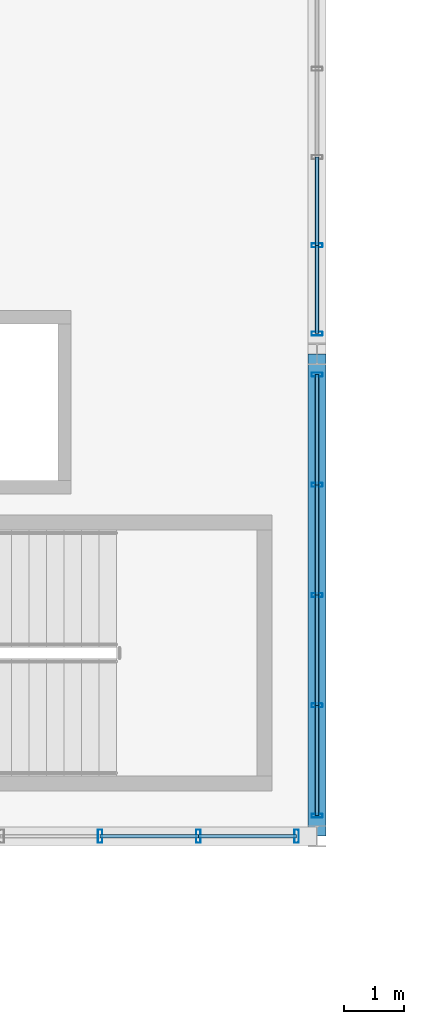
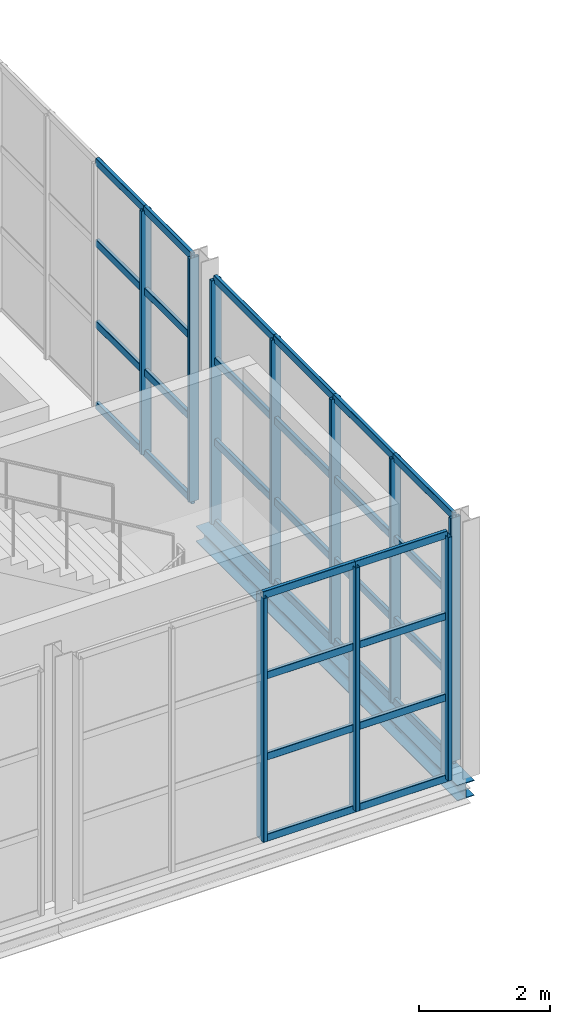
# One storey, part 61 of 143: 42 members, 1 beam, 3 elements without a shape of their own.
"""IFC4 building model written with IfcOpenShell, lengths in metres."""

from ifc_helpers import new_model, si_unit, derived_unit, direction, frame, origin, origin_2d, place, context, subcontext, project, spatial, hollow_rectangle, i_section, extrude, material, material_profile, profile_set, type_object, element, aggregate, save


model = new_model("IFC4")

# Units and contexts
model_context = context("Model", 3, precision=1e-05, world=origin(), true_north=direction((0.0, 1.0)))
body_context = subcontext(model_context, "Body", "Model", "MODEL_VIEW")
ifc_project = project(units=[si_unit("LENGTHUNIT", "METRE"), si_unit("AREAUNIT", "SQUARE_METRE"), si_unit("VOLUMEUNIT", "CUBIC_METRE"), si_unit("PLANEANGLEUNIT", "RADIAN"), si_unit("MASSUNIT", "GRAM", prefix="KILO"), derived_unit("THERMALTRANSMITTANCEUNIT", [(si_unit("POWERUNIT", "WATT"), 1), (si_unit("LENGTHUNIT", "METRE"), -2), (si_unit("THERMODYNAMICTEMPERATUREUNIT", "KELVIN"), -1)])], contexts=[model_context])

# Site, building, storey
site_placement = place(None, origin())
site = spatial("IfcSite", under=ifc_project, at=site_placement, CompositionType="ELEMENT")
building_placement = place(site_placement, origin())
building = spatial("IfcBuilding", under=site, at=building_placement, Name="Keldorne Ridge Multi-Sports Centre", CompositionType="ELEMENT")
storey_placement = place(building_placement, frame((0.0, 0.0, 4.800048828125)))
storey = spatial("IfcBuildingStorey", under=building, at=storey_placement, Name="L01", CompositionType="ELEMENT", Elevation=4.800048828125)

# Beam
ifc_material_1 = material(Name="Steel S355", Category="steel")
ifc_material_profile_1 = material_profile(ifc_material_1, i_section(OverallWidth=0.300048828125, OverallDepth=0.2900390625, WebThickness=0.008544921875, FlangeThickness=0.013916015625, FilletRadius=0.027099609375, at=origin_2d()), Name="HEA 300")
ifc_profile_set_1 = profile_set([ifc_material_profile_1], Name="Steel S355")
beam_type = type_object("IfcBeamType", Name="BM-SP-04", PredefinedType="SPANDREL", material=ifc_profile_set_1)
beam_placement = place(storey_placement, frame((42.0, 74.0, -0.3701171875), z_axis=(0.0, 1.0, 0.0), x_axis=(-1.0, 0.0, 0.0)))
element("IfcBeam", 1, at=beam_placement, inside=storey, type_object=beam_type, Name="Climbing east spandrel L01.1", PredefinedType="SPANDREL", context=body_context, shape_type="SweptSolid", body=[
    extrude(i_section(OverallWidth=0.300048828125, OverallDepth=0.2900390625, WebThickness=0.008544921875, FlangeThickness=0.013916015625, FilletRadius=0.027099609375, at=origin_2d()), origin(), (0.0, 0.0, 1.0), 8.0),
])

# Curtain wall, members
ifc_material_2 = material(Name="Anodized aluminium", Category="aluminium")
curtain_wall_type_1 = type_object("IfcCurtainWallType", Name="CW-CW-03", PredefinedType="NOTDEFINED", material=ifc_material_2)
curtain_wall_1_placement = place(storey_placement, origin())
curtain_wall_1 = element("IfcCurtainWall", 2, at=curtain_wall_1_placement, inside=storey, type_object=curtain_wall_type_1, Name="Climbing east courtyard glazing L01 059", PredefinedType="NOTDEFINED")
ifc_material_profile_2 = material_profile(ifc_material_2, hollow_rectangle(XDim=0.06494140625, YDim=0.179931640625, WallThickness=0.00439453125, InnerFilletRadius=0.00439453125, OuterFilletRadius=0.009033203125, at=origin_2d()), Name="ALU MULLION 180x65x4.5")
ifc_profile_set_2 = profile_set([ifc_material_profile_2], Name="Anodized aluminium")
member_type_1 = type_object("IfcMemberType", Name="MEM-ML-01", PredefinedType="MULLION", material=ifc_profile_set_2)
member_1_placement = place(storey_placement, frame((42.0, 74.340087890625, 0.0), z_axis=(0.0, 0.0, 1.0), x_axis=(0.0, 1.0, 0.0)))
member_1 = element("IfcMember", 3, at=member_1_placement, type_object=member_type_1, Name="CW-059 vertical mullion 1", PredefinedType="MULLION", context=body_context, shape_type="SweptSolid", body=[
    extrude(hollow_rectangle(XDim=0.06494140625, YDim=0.179931640625, WallThickness=0.00439453125, InnerFilletRadius=0.00439453125, OuterFilletRadius=0.009033203125, at=origin_2d()), origin(), (0.0, 0.0, 1.0), 4.550048828125),
])
member_2_placement = place(storey_placement, frame((42.0, 76.169921875, 0.0), z_axis=(0.0, 0.0, 1.0), x_axis=(0.0, 1.0, 0.0)))
member_2 = element("IfcMember", 4, at=member_2_placement, type_object=member_type_1, Name="CW-059 vertical mullion 2", PredefinedType="MULLION", context=body_context, shape_type="SweptSolid", body=[
    extrude(hollow_rectangle(XDim=0.06494140625, YDim=0.179931640625, WallThickness=0.00439453125, InnerFilletRadius=0.00439453125, OuterFilletRadius=0.009033203125, at=origin_2d()), origin(), (0.0, 0.0, 1.0), 4.550048828125),
])
member_3_placement = place(storey_placement, frame((42.0, 78.0, 0.0), z_axis=(0.0, 0.0, 1.0), x_axis=(0.0, 1.0, 0.0)))
member_3 = element("IfcMember", 5, at=member_3_placement, type_object=member_type_1, Name="CW-059 vertical mullion 3", PredefinedType="MULLION", context=body_context, shape_type="SweptSolid", body=[
    extrude(hollow_rectangle(XDim=0.06494140625, YDim=0.179931640625, WallThickness=0.00439453125, InnerFilletRadius=0.00439453125, OuterFilletRadius=0.009033203125, at=origin_2d()), origin(), (0.0, 0.0, 1.0), 4.550048828125),
])
member_4_placement = place(storey_placement, frame((42.0, 79.830078125, 0.0), z_axis=(0.0, 0.0, 1.0), x_axis=(0.0, 1.0, 0.0)))
member_4 = element("IfcMember", 6, at=member_4_placement, type_object=member_type_1, Name="CW-059 vertical mullion 4", PredefinedType="MULLION", context=body_context, shape_type="SweptSolid", body=[
    extrude(hollow_rectangle(XDim=0.06494140625, YDim=0.179931640625, WallThickness=0.00439453125, InnerFilletRadius=0.00439453125, OuterFilletRadius=0.009033203125, at=origin_2d()), origin(), (0.0, 0.0, 1.0), 4.550048828125),
])
member_5_placement = place(storey_placement, frame((42.0, 81.659912109375, 0.0), z_axis=(0.0, 0.0, 1.0), x_axis=(0.0, 1.0, 0.0)))
member_5 = element("IfcMember", 7, at=member_5_placement, type_object=member_type_1, Name="CW-059 vertical mullion 5", PredefinedType="MULLION", context=body_context, shape_type="SweptSolid", body=[
    extrude(hollow_rectangle(XDim=0.06494140625, YDim=0.179931640625, WallThickness=0.00439453125, InnerFilletRadius=0.00439453125, OuterFilletRadius=0.009033203125, at=origin_2d()), origin(), (0.0, 0.0, 1.0), 4.550048828125),
])

curtain_wall_type_2 = type_object("IfcCurtainWallType", Name="CW-CW-06", PredefinedType="NOTDEFINED", material=ifc_material_2)
curtain_wall_2_placement = place(storey_placement, origin())
curtain_wall_2 = element("IfcCurtainWall", 8, at=curtain_wall_2_placement, inside=storey, type_object=curtain_wall_type_2, Name="Climbing east courtyard glazing L01 062", PredefinedType="NOTDEFINED")
member_6_placement = place(storey_placement, frame((42.0, 82.340087890625, 0.0), z_axis=(0.0, 0.0, 1.0), x_axis=(0.0, 1.0, 0.0)))
member_6 = element("IfcMember", 9, at=member_6_placement, type_object=member_type_1, Name="CW-062 vertical mullion 1", PredefinedType="MULLION", context=body_context, shape_type="SweptSolid", body=[
    extrude(hollow_rectangle(XDim=0.06494140625, YDim=0.179931640625, WallThickness=0.00439453125, InnerFilletRadius=0.00439453125, OuterFilletRadius=0.009033203125, at=origin_2d()), origin(), (0.0, 0.0, 1.0), 4.550048828125),
])
member_7_placement = place(storey_placement, frame((42.0, 83.803955078125, 0.0), z_axis=(0.0, 0.0, 1.0), x_axis=(0.0, 1.0, 0.0)))
member_7 = element("IfcMember", 10, at=member_7_placement, type_object=member_type_1, Name="CW-062 vertical mullion 2", PredefinedType="MULLION", context=body_context, shape_type="SweptSolid", body=[
    extrude(hollow_rectangle(XDim=0.06494140625, YDim=0.179931640625, WallThickness=0.00439453125, InnerFilletRadius=0.00439453125, OuterFilletRadius=0.009033203125, at=origin_2d()), origin(), (0.0, 0.0, 1.0), 4.550048828125),
])

curtain_wall_type_3 = type_object("IfcCurtainWallType", Name="CW-CW-05", PredefinedType="NOTDEFINED", material=ifc_material_2)
curtain_wall_3_placement = place(storey_placement, origin())
curtain_wall_3 = element("IfcCurtainWall", 11, at=curtain_wall_3_placement, inside=storey, type_object=curtain_wall_type_3, Name="Climbing belay south glazing 053", PredefinedType="NOTDEFINED")
ifc_material_profile_3 = material_profile(ifc_material_2, hollow_rectangle(XDim=0.074951171875, YDim=0.219970703125, WallThickness=0.0048828125, InnerFilletRadius=0.0048828125, OuterFilletRadius=0.010009765625, at=origin_2d()), Name="ALU MULLION 220x75x5")
ifc_profile_set_3 = profile_set([ifc_material_profile_3], Name="Anodized aluminium")
member_type_2 = type_object("IfcMemberType", Name="MEM-ML-02", PredefinedType="MULLION", material=ifc_profile_set_3)
member_8_placement = place(storey_placement, frame((38.39990234375, 74.0, 0.0), z_axis=(0.0, 0.0, 1.0), x_axis=(1.0, 0.0, 0.0)))
member_8 = element("IfcMember", 12, at=member_8_placement, type_object=member_type_2, Name="CW-053 vertical mullion 3", PredefinedType="MULLION", context=body_context, shape_type="SweptSolid", body=[
    extrude(hollow_rectangle(XDim=0.074951171875, YDim=0.219970703125, WallThickness=0.0048828125, InnerFilletRadius=0.0048828125, OuterFilletRadius=0.010009765625, at=origin_2d()), origin(), (0.0, 0.0, 1.0), 4.550048828125),
])
member_9_placement = place(storey_placement, frame((40.030029296875, 74.0, 0.0), z_axis=(0.0, 0.0, 1.0), x_axis=(1.0, 0.0, 0.0)))
member_9 = element("IfcMember", 13, at=member_9_placement, type_object=member_type_2, Name="CW-053 vertical mullion 4", PredefinedType="MULLION", context=body_context, shape_type="SweptSolid", body=[
    extrude(hollow_rectangle(XDim=0.074951171875, YDim=0.219970703125, WallThickness=0.0048828125, InnerFilletRadius=0.0048828125, OuterFilletRadius=0.010009765625, at=origin_2d()), origin(), (0.0, 0.0, 1.0), 4.550048828125),
])
member_10_placement = place(storey_placement, frame((41.659912109375, 74.0, 0.0), z_axis=(0.0, 0.0, 1.0), x_axis=(1.0, 0.0, 0.0)))
member_10 = element("IfcMember", 14, at=member_10_placement, type_object=member_type_2, Name="CW-053 vertical mullion 5", PredefinedType="MULLION", context=body_context, shape_type="SweptSolid", body=[
    extrude(hollow_rectangle(XDim=0.074951171875, YDim=0.219970703125, WallThickness=0.0048828125, InnerFilletRadius=0.0048828125, OuterFilletRadius=0.010009765625, at=origin_2d()), origin(), (0.0, 0.0, 1.0), 4.550048828125),
])
ifc_material_profile_4 = material_profile(ifc_material_2, hollow_rectangle(XDim=0.06494140625, YDim=0.139892578125, WallThickness=0.00439453125, InnerFilletRadius=0.00439453125, OuterFilletRadius=0.009033203125, at=origin_2d()), Name="ALU TRANSOM 140x65x4.5")
ifc_profile_set_4 = profile_set([ifc_material_profile_4], Name="Anodized aluminium")
member_type_3 = type_object("IfcMemberType", Name="MEM-TR-01", PredefinedType="USERDEFINED", material=ifc_profile_set_4)
member_11_placement = place(storey_placement, frame((38.39990234375, 74.0, 0.0), z_axis=(1.0, 0.0, 0.0), x_axis=(0.0, 1.0, 0.0)))
member_11 = element("IfcMember", 15, at=member_11_placement, type_object=member_type_3, Name="CW-053 transom 3.1", ObjectType="TRANSOM", PredefinedType="USERDEFINED", context=body_context, shape_type="SweptSolid", body=[
    extrude(hollow_rectangle(XDim=0.06494140625, YDim=0.139892578125, WallThickness=0.00439453125, InnerFilletRadius=0.00439453125, OuterFilletRadius=0.009033203125, at=origin_2d()), origin(), (0.0, 0.0, 1.0), 1.630126953125),
])
member_12_placement = place(storey_placement, frame((38.39990234375, 74.0, 1.5166015625), z_axis=(1.0, 0.0, 0.0), x_axis=(0.0, 1.0, 0.0)))
member_12 = element("IfcMember", 16, at=member_12_placement, type_object=member_type_3, Name="CW-053 transom 3.2", ObjectType="TRANSOM", PredefinedType="USERDEFINED", context=body_context, shape_type="SweptSolid", body=[
    extrude(hollow_rectangle(XDim=0.06494140625, YDim=0.139892578125, WallThickness=0.00439453125, InnerFilletRadius=0.00439453125, OuterFilletRadius=0.009033203125, at=origin_2d()), origin(), (0.0, 0.0, 1.0), 1.630126953125),
])
member_13_placement = place(storey_placement, frame((38.39990234375, 74.0, 3.033203125), z_axis=(1.0, 0.0, 0.0), x_axis=(0.0, 1.0, 0.0)))
member_13 = element("IfcMember", 17, at=member_13_placement, type_object=member_type_3, Name="CW-053 transom 3.3", ObjectType="TRANSOM", PredefinedType="USERDEFINED", context=body_context, shape_type="SweptSolid", body=[
    extrude(hollow_rectangle(XDim=0.06494140625, YDim=0.139892578125, WallThickness=0.00439453125, InnerFilletRadius=0.00439453125, OuterFilletRadius=0.009033203125, at=origin_2d()), origin(), (0.0, 0.0, 1.0), 1.630126953125),
])
member_14_placement = place(storey_placement, frame((38.39990234375, 74.0, 4.550048828125), z_axis=(1.0, 0.0, 0.0), x_axis=(0.0, 1.0, 0.0)))
member_14 = element("IfcMember", 18, at=member_14_placement, type_object=member_type_3, Name="CW-053 transom 3.4", ObjectType="TRANSOM", PredefinedType="USERDEFINED", context=body_context, shape_type="SweptSolid", body=[
    extrude(hollow_rectangle(XDim=0.06494140625, YDim=0.139892578125, WallThickness=0.00439453125, InnerFilletRadius=0.00439453125, OuterFilletRadius=0.009033203125, at=origin_2d()), origin(), (0.0, 0.0, 1.0), 1.630126953125),
])
member_15_placement = place(storey_placement, frame((40.030029296875, 74.0, 0.0), z_axis=(1.0, 0.0, 0.0), x_axis=(0.0, 1.0, 0.0)))
member_15 = element("IfcMember", 19, at=member_15_placement, type_object=member_type_3, Name="CW-053 transom 4.1", ObjectType="TRANSOM", PredefinedType="USERDEFINED", context=body_context, shape_type="SweptSolid", body=[
    extrude(hollow_rectangle(XDim=0.06494140625, YDim=0.139892578125, WallThickness=0.00439453125, InnerFilletRadius=0.00439453125, OuterFilletRadius=0.009033203125, at=origin_2d()), origin(), (0.0, 0.0, 1.0), 1.6298828125),
])
member_16_placement = place(storey_placement, frame((40.030029296875, 74.0, 1.5166015625), z_axis=(1.0, 0.0, 0.0), x_axis=(0.0, 1.0, 0.0)))
member_16 = element("IfcMember", 20, at=member_16_placement, type_object=member_type_3, Name="CW-053 transom 4.2", ObjectType="TRANSOM", PredefinedType="USERDEFINED", context=body_context, shape_type="SweptSolid", body=[
    extrude(hollow_rectangle(XDim=0.06494140625, YDim=0.139892578125, WallThickness=0.00439453125, InnerFilletRadius=0.00439453125, OuterFilletRadius=0.009033203125, at=origin_2d()), origin(), (0.0, 0.0, 1.0), 1.6298828125),
])
member_17_placement = place(storey_placement, frame((40.030029296875, 74.0, 3.033203125), z_axis=(1.0, 0.0, 0.0), x_axis=(0.0, 1.0, 0.0)))
member_17 = element("IfcMember", 21, at=member_17_placement, type_object=member_type_3, Name="CW-053 transom 4.3", ObjectType="TRANSOM", PredefinedType="USERDEFINED", context=body_context, shape_type="SweptSolid", body=[
    extrude(hollow_rectangle(XDim=0.06494140625, YDim=0.139892578125, WallThickness=0.00439453125, InnerFilletRadius=0.00439453125, OuterFilletRadius=0.009033203125, at=origin_2d()), origin(), (0.0, 0.0, 1.0), 1.6298828125),
])
member_18_placement = place(storey_placement, frame((40.030029296875, 74.0, 4.550048828125), z_axis=(1.0, 0.0, 0.0), x_axis=(0.0, 1.0, 0.0)))
member_18 = element("IfcMember", 22, at=member_18_placement, type_object=member_type_3, Name="CW-053 transom 4.4", ObjectType="TRANSOM", PredefinedType="USERDEFINED", context=body_context, shape_type="SweptSolid", body=[
    extrude(hollow_rectangle(XDim=0.06494140625, YDim=0.139892578125, WallThickness=0.00439453125, InnerFilletRadius=0.00439453125, OuterFilletRadius=0.009033203125, at=origin_2d()), origin(), (0.0, 0.0, 1.0), 1.6298828125),
])
aggregate(curtain_wall_3, [member_8, member_9, member_10, member_11, member_12, member_13, member_14, member_15, member_16, member_17, member_18])

# Member
member_19_placement = place(storey_placement, frame((42.0, 74.340087890625, 0.0), z_axis=(0.0, 1.0, 0.0), x_axis=(-1.0, 0.0, 0.0)))
member_19 = element("IfcMember", 23, at=member_19_placement, type_object=member_type_3, Name="CW-059 transom 1.1", ObjectType="TRANSOM", PredefinedType="USERDEFINED", context=body_context, shape_type="SweptSolid", body=[
    extrude(hollow_rectangle(XDim=0.06494140625, YDim=0.139892578125, WallThickness=0.00439453125, InnerFilletRadius=0.00439453125, OuterFilletRadius=0.009033203125, at=origin_2d()), origin(), (0.0, 0.0, 1.0), 1.829833984375),
])

member_20_placement = place(storey_placement, frame((42.0, 74.340087890625, 1.5166015625), z_axis=(0.0, 1.0, 0.0), x_axis=(-1.0, 0.0, 0.0)))
member_20 = element("IfcMember", 24, at=member_20_placement, type_object=member_type_3, Name="CW-059 transom 1.2", ObjectType="TRANSOM", PredefinedType="USERDEFINED", context=body_context, shape_type="SweptSolid", body=[
    extrude(hollow_rectangle(XDim=0.06494140625, YDim=0.139892578125, WallThickness=0.00439453125, InnerFilletRadius=0.00439453125, OuterFilletRadius=0.009033203125, at=origin_2d()), origin(), (0.0, 0.0, 1.0), 1.829833984375),
])

member_21_placement = place(storey_placement, frame((42.0, 74.340087890625, 3.033203125), z_axis=(0.0, 1.0, 0.0), x_axis=(-1.0, 0.0, 0.0)))
member_21 = element("IfcMember", 25, at=member_21_placement, type_object=member_type_3, Name="CW-059 transom 1.3", ObjectType="TRANSOM", PredefinedType="USERDEFINED", context=body_context, shape_type="SweptSolid", body=[
    extrude(hollow_rectangle(XDim=0.06494140625, YDim=0.139892578125, WallThickness=0.00439453125, InnerFilletRadius=0.00439453125, OuterFilletRadius=0.009033203125, at=origin_2d()), origin(), (0.0, 0.0, 1.0), 1.829833984375),
])

member_22_placement = place(storey_placement, frame((42.0, 74.340087890625, 4.550048828125), z_axis=(0.0, 1.0, 0.0), x_axis=(-1.0, 0.0, 0.0)))
member_22 = element("IfcMember", 26, at=member_22_placement, type_object=member_type_3, Name="CW-059 transom 1.4", ObjectType="TRANSOM", PredefinedType="USERDEFINED", context=body_context, shape_type="SweptSolid", body=[
    extrude(hollow_rectangle(XDim=0.06494140625, YDim=0.139892578125, WallThickness=0.00439453125, InnerFilletRadius=0.00439453125, OuterFilletRadius=0.009033203125, at=origin_2d()), origin(), (0.0, 0.0, 1.0), 1.829833984375),
])

member_23_placement = place(storey_placement, frame((42.0, 76.169921875, 0.0), z_axis=(0.0, 1.0, 0.0), x_axis=(-1.0, 0.0, 0.0)))
member_23 = element("IfcMember", 27, at=member_23_placement, type_object=member_type_3, Name="CW-059 transom 2.1", ObjectType="TRANSOM", PredefinedType="USERDEFINED", context=body_context, shape_type="SweptSolid", body=[
    extrude(hollow_rectangle(XDim=0.06494140625, YDim=0.139892578125, WallThickness=0.00439453125, InnerFilletRadius=0.00439453125, OuterFilletRadius=0.009033203125, at=origin_2d()), origin(), (0.0, 0.0, 1.0), 1.830078125),
])

member_24_placement = place(storey_placement, frame((42.0, 76.169921875, 1.5166015625), z_axis=(0.0, 1.0, 0.0), x_axis=(-1.0, 0.0, 0.0)))
member_24 = element("IfcMember", 28, at=member_24_placement, type_object=member_type_3, Name="CW-059 transom 2.2", ObjectType="TRANSOM", PredefinedType="USERDEFINED", context=body_context, shape_type="SweptSolid", body=[
    extrude(hollow_rectangle(XDim=0.06494140625, YDim=0.139892578125, WallThickness=0.00439453125, InnerFilletRadius=0.00439453125, OuterFilletRadius=0.009033203125, at=origin_2d()), origin(), (0.0, 0.0, 1.0), 1.830078125),
])

member_25_placement = place(storey_placement, frame((42.0, 76.169921875, 3.033203125), z_axis=(0.0, 1.0, 0.0), x_axis=(-1.0, 0.0, 0.0)))
member_25 = element("IfcMember", 29, at=member_25_placement, type_object=member_type_3, Name="CW-059 transom 2.3", ObjectType="TRANSOM", PredefinedType="USERDEFINED", context=body_context, shape_type="SweptSolid", body=[
    extrude(hollow_rectangle(XDim=0.06494140625, YDim=0.139892578125, WallThickness=0.00439453125, InnerFilletRadius=0.00439453125, OuterFilletRadius=0.009033203125, at=origin_2d()), origin(), (0.0, 0.0, 1.0), 1.830078125),
])

member_26_placement = place(storey_placement, frame((42.0, 76.169921875, 4.550048828125), z_axis=(0.0, 1.0, 0.0), x_axis=(-1.0, 0.0, 0.0)))
member_26 = element("IfcMember", 30, at=member_26_placement, type_object=member_type_3, Name="CW-059 transom 2.4", ObjectType="TRANSOM", PredefinedType="USERDEFINED", context=body_context, shape_type="SweptSolid", body=[
    extrude(hollow_rectangle(XDim=0.06494140625, YDim=0.139892578125, WallThickness=0.00439453125, InnerFilletRadius=0.00439453125, OuterFilletRadius=0.009033203125, at=origin_2d()), origin(), (0.0, 0.0, 1.0), 1.830078125),
])

member_27_placement = place(storey_placement, frame((42.0, 78.0, 0.0), z_axis=(0.0, 1.0, 0.0), x_axis=(-1.0, 0.0, 0.0)))
member_27 = element("IfcMember", 31, at=member_27_placement, type_object=member_type_3, Name="CW-059 transom 3.1", ObjectType="TRANSOM", PredefinedType="USERDEFINED", context=body_context, shape_type="SweptSolid", body=[
    extrude(hollow_rectangle(XDim=0.06494140625, YDim=0.139892578125, WallThickness=0.00439453125, InnerFilletRadius=0.00439453125, OuterFilletRadius=0.009033203125, at=origin_2d()), origin(), (0.0, 0.0, 1.0), 1.830078125),
])

member_28_placement = place(storey_placement, frame((42.0, 78.0, 1.5166015625), z_axis=(0.0, 1.0, 0.0), x_axis=(-1.0, 0.0, 0.0)))
member_28 = element("IfcMember", 32, at=member_28_placement, type_object=member_type_3, Name="CW-059 transom 3.2", ObjectType="TRANSOM", PredefinedType="USERDEFINED", context=body_context, shape_type="SweptSolid", body=[
    extrude(hollow_rectangle(XDim=0.06494140625, YDim=0.139892578125, WallThickness=0.00439453125, InnerFilletRadius=0.00439453125, OuterFilletRadius=0.009033203125, at=origin_2d()), origin(), (0.0, 0.0, 1.0), 1.830078125),
])

member_29_placement = place(storey_placement, frame((42.0, 78.0, 3.033203125), z_axis=(0.0, 1.0, 0.0), x_axis=(-1.0, 0.0, 0.0)))
member_29 = element("IfcMember", 33, at=member_29_placement, type_object=member_type_3, Name="CW-059 transom 3.3", ObjectType="TRANSOM", PredefinedType="USERDEFINED", context=body_context, shape_type="SweptSolid", body=[
    extrude(hollow_rectangle(XDim=0.06494140625, YDim=0.139892578125, WallThickness=0.00439453125, InnerFilletRadius=0.00439453125, OuterFilletRadius=0.009033203125, at=origin_2d()), origin(), (0.0, 0.0, 1.0), 1.830078125),
])

member_30_placement = place(storey_placement, frame((42.0, 78.0, 4.550048828125), z_axis=(0.0, 1.0, 0.0), x_axis=(-1.0, 0.0, 0.0)))
member_30 = element("IfcMember", 34, at=member_30_placement, type_object=member_type_3, Name="CW-059 transom 3.4", ObjectType="TRANSOM", PredefinedType="USERDEFINED", context=body_context, shape_type="SweptSolid", body=[
    extrude(hollow_rectangle(XDim=0.06494140625, YDim=0.139892578125, WallThickness=0.00439453125, InnerFilletRadius=0.00439453125, OuterFilletRadius=0.009033203125, at=origin_2d()), origin(), (0.0, 0.0, 1.0), 1.830078125),
])

member_31_placement = place(storey_placement, frame((42.0, 79.830078125, 0.0), z_axis=(0.0, 1.0, 0.0), x_axis=(-1.0, 0.0, 0.0)))
member_31 = element("IfcMember", 35, at=member_31_placement, type_object=member_type_3, Name="CW-059 transom 4.1", ObjectType="TRANSOM", PredefinedType="USERDEFINED", context=body_context, shape_type="SweptSolid", body=[
    extrude(hollow_rectangle(XDim=0.06494140625, YDim=0.139892578125, WallThickness=0.00439453125, InnerFilletRadius=0.00439453125, OuterFilletRadius=0.009033203125, at=origin_2d()), origin(), (0.0, 0.0, 1.0), 1.829833984375),
])

member_32_placement = place(storey_placement, frame((42.0, 79.830078125, 1.5166015625), z_axis=(0.0, 1.0, 0.0), x_axis=(-1.0, 0.0, 0.0)))
member_32 = element("IfcMember", 36, at=member_32_placement, type_object=member_type_3, Name="CW-059 transom 4.2", ObjectType="TRANSOM", PredefinedType="USERDEFINED", context=body_context, shape_type="SweptSolid", body=[
    extrude(hollow_rectangle(XDim=0.06494140625, YDim=0.139892578125, WallThickness=0.00439453125, InnerFilletRadius=0.00439453125, OuterFilletRadius=0.009033203125, at=origin_2d()), origin(), (0.0, 0.0, 1.0), 1.829833984375),
])

member_33_placement = place(storey_placement, frame((42.0, 79.830078125, 3.033203125), z_axis=(0.0, 1.0, 0.0), x_axis=(-1.0, 0.0, 0.0)))
member_33 = element("IfcMember", 37, at=member_33_placement, type_object=member_type_3, Name="CW-059 transom 4.3", ObjectType="TRANSOM", PredefinedType="USERDEFINED", context=body_context, shape_type="SweptSolid", body=[
    extrude(hollow_rectangle(XDim=0.06494140625, YDim=0.139892578125, WallThickness=0.00439453125, InnerFilletRadius=0.00439453125, OuterFilletRadius=0.009033203125, at=origin_2d()), origin(), (0.0, 0.0, 1.0), 1.829833984375),
])

member_34_placement = place(storey_placement, frame((42.0, 79.830078125, 4.550048828125), z_axis=(0.0, 1.0, 0.0), x_axis=(-1.0, 0.0, 0.0)))
member_34 = element("IfcMember", 38, at=member_34_placement, type_object=member_type_3, Name="CW-059 transom 4.4", ObjectType="TRANSOM", PredefinedType="USERDEFINED", context=body_context, shape_type="SweptSolid", body=[
    extrude(hollow_rectangle(XDim=0.06494140625, YDim=0.139892578125, WallThickness=0.00439453125, InnerFilletRadius=0.00439453125, OuterFilletRadius=0.009033203125, at=origin_2d()), origin(), (0.0, 0.0, 1.0), 1.829833984375),
])

aggregate(curtain_wall_1, [member_1, member_2, member_3, member_4, member_5, member_19, member_20, member_21, member_22, member_23, member_24, member_25, member_26, member_27, member_28, member_29, member_30, member_31, member_32, member_33, member_34])

member_35_placement = place(storey_placement, frame((42.0, 82.340087890625, 0.0), z_axis=(0.0, 1.0, 0.0), x_axis=(-1.0, 0.0, 0.0)))
member_35 = element("IfcMember", 39, at=member_35_placement, type_object=member_type_3, Name="CW-062 transom 1.1", ObjectType="TRANSOM", PredefinedType="USERDEFINED", context=body_context, shape_type="SweptSolid", body=[
    extrude(hollow_rectangle(XDim=0.06494140625, YDim=0.139892578125, WallThickness=0.00439453125, InnerFilletRadius=0.00439453125, OuterFilletRadius=0.009033203125, at=origin_2d()), origin(), (0.0, 0.0, 1.0), 1.4638671875),
])

member_36_placement = place(storey_placement, frame((42.0, 82.340087890625, 1.5166015625), z_axis=(0.0, 1.0, 0.0), x_axis=(-1.0, 0.0, 0.0)))
member_36 = element("IfcMember", 40, at=member_36_placement, type_object=member_type_3, Name="CW-062 transom 1.2", ObjectType="TRANSOM", PredefinedType="USERDEFINED", context=body_context, shape_type="SweptSolid", body=[
    extrude(hollow_rectangle(XDim=0.06494140625, YDim=0.139892578125, WallThickness=0.00439453125, InnerFilletRadius=0.00439453125, OuterFilletRadius=0.009033203125, at=origin_2d()), origin(), (0.0, 0.0, 1.0), 1.4638671875),
])

member_37_placement = place(storey_placement, frame((42.0, 82.340087890625, 3.033203125), z_axis=(0.0, 1.0, 0.0), x_axis=(-1.0, 0.0, 0.0)))
member_37 = element("IfcMember", 41, at=member_37_placement, type_object=member_type_3, Name="CW-062 transom 1.3", ObjectType="TRANSOM", PredefinedType="USERDEFINED", context=body_context, shape_type="SweptSolid", body=[
    extrude(hollow_rectangle(XDim=0.06494140625, YDim=0.139892578125, WallThickness=0.00439453125, InnerFilletRadius=0.00439453125, OuterFilletRadius=0.009033203125, at=origin_2d()), origin(), (0.0, 0.0, 1.0), 1.4638671875),
])

member_38_placement = place(storey_placement, frame((42.0, 82.340087890625, 4.550048828125), z_axis=(0.0, 1.0, 0.0), x_axis=(-1.0, 0.0, 0.0)))
member_38 = element("IfcMember", 42, at=member_38_placement, type_object=member_type_3, Name="CW-062 transom 1.4", ObjectType="TRANSOM", PredefinedType="USERDEFINED", context=body_context, shape_type="SweptSolid", body=[
    extrude(hollow_rectangle(XDim=0.06494140625, YDim=0.139892578125, WallThickness=0.00439453125, InnerFilletRadius=0.00439453125, OuterFilletRadius=0.009033203125, at=origin_2d()), origin(), (0.0, 0.0, 1.0), 1.4638671875),
])

member_39_placement = place(storey_placement, frame((42.0, 83.803955078125, 0.0), z_axis=(0.0, 1.0, 0.0), x_axis=(-1.0, 0.0, 0.0)))
member_39 = element("IfcMember", 43, at=member_39_placement, type_object=member_type_3, Name="CW-062 transom 2.1", ObjectType="TRANSOM", PredefinedType="USERDEFINED", context=body_context, shape_type="SweptSolid", body=[
    extrude(hollow_rectangle(XDim=0.06494140625, YDim=0.139892578125, WallThickness=0.00439453125, InnerFilletRadius=0.00439453125, OuterFilletRadius=0.009033203125, at=origin_2d()), origin(), (0.0, 0.0, 1.0), 1.464111328125),
])

member_40_placement = place(storey_placement, frame((42.0, 83.803955078125, 1.5166015625), z_axis=(0.0, 1.0, 0.0), x_axis=(-1.0, 0.0, 0.0)))
member_40 = element("IfcMember", 44, at=member_40_placement, type_object=member_type_3, Name="CW-062 transom 2.2", ObjectType="TRANSOM", PredefinedType="USERDEFINED", context=body_context, shape_type="SweptSolid", body=[
    extrude(hollow_rectangle(XDim=0.06494140625, YDim=0.139892578125, WallThickness=0.00439453125, InnerFilletRadius=0.00439453125, OuterFilletRadius=0.009033203125, at=origin_2d()), origin(), (0.0, 0.0, 1.0), 1.464111328125),
])

member_41_placement = place(storey_placement, frame((42.0, 83.803955078125, 3.033203125), z_axis=(0.0, 1.0, 0.0), x_axis=(-1.0, 0.0, 0.0)))
member_41 = element("IfcMember", 45, at=member_41_placement, type_object=member_type_3, Name="CW-062 transom 2.3", ObjectType="TRANSOM", PredefinedType="USERDEFINED", context=body_context, shape_type="SweptSolid", body=[
    extrude(hollow_rectangle(XDim=0.06494140625, YDim=0.139892578125, WallThickness=0.00439453125, InnerFilletRadius=0.00439453125, OuterFilletRadius=0.009033203125, at=origin_2d()), origin(), (0.0, 0.0, 1.0), 1.464111328125),
])

member_42_placement = place(storey_placement, frame((42.0, 83.803955078125, 4.550048828125), z_axis=(0.0, 1.0, 0.0), x_axis=(-1.0, 0.0, 0.0)))
member_42 = element("IfcMember", 46, at=member_42_placement, type_object=member_type_3, Name="CW-062 transom 2.4", ObjectType="TRANSOM", PredefinedType="USERDEFINED", context=body_context, shape_type="SweptSolid", body=[
    extrude(hollow_rectangle(XDim=0.06494140625, YDim=0.139892578125, WallThickness=0.00439453125, InnerFilletRadius=0.00439453125, OuterFilletRadius=0.009033203125, at=origin_2d()), origin(), (0.0, 0.0, 1.0), 1.464111328125),
])

aggregate(curtain_wall_2, [member_6, member_7, member_35, member_36, member_37, member_38, member_39, member_40, member_41, member_42])

save(model, "model.ifc")
